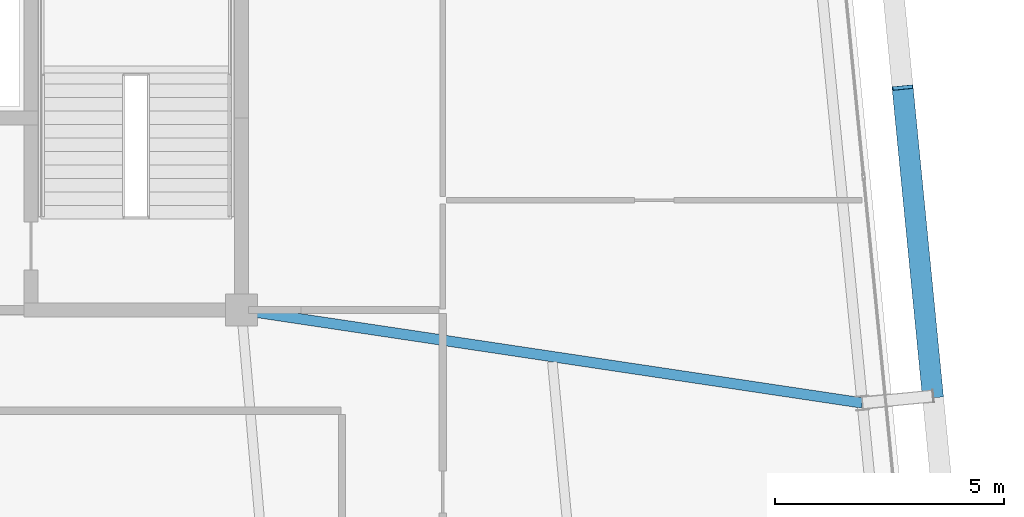
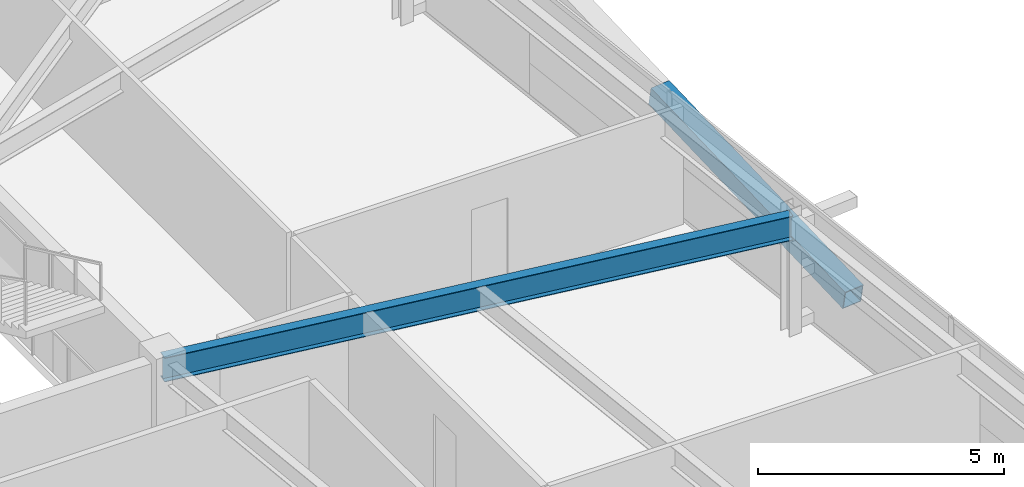
# One storey, part 22 of 47: 1 beam, 1 member.
"""IFC4 building model written with IfcOpenShell, lengths in metres."""

from ifc_helpers import new_model, si_unit, direction, frame, origin, origin_2d, place, context, subcontext, project, spatial, hollow_rectangle, i_section, extrude, source, transform, mapped, material, material_profile, profile_set, type_object, element, save


model = new_model("IFC4")

# Units and contexts
model_context = context("Model", 3, precision=1e-05, world=origin(), true_north=direction((0.0, 1.0)))
body_context = subcontext(model_context, "Body", "Model", "MODEL_VIEW")
ifc_project = project(units=[si_unit("LENGTHUNIT", "METRE"), si_unit("AREAUNIT", "SQUARE_METRE"), si_unit("VOLUMEUNIT", "CUBIC_METRE"), si_unit("PLANEANGLEUNIT", "RADIAN"), si_unit("MASSUNIT", "GRAM", prefix="KILO")], contexts=[model_context])

# Site, building, storey
site_placement = place(None, origin())
site = spatial("IfcSite", under=ifc_project, at=site_placement, CompositionType="ELEMENT")
building_placement = place(site_placement, origin())
building = spatial("IfcBuilding", under=site, at=building_placement, Name="Taldren Reach Tower", CompositionType="ELEMENT")
storey_placement = place(building_placement, frame((0.0, 0.0, 90.300048828125)))
storey = spatial("IfcBuildingStorey", under=building, at=storey_placement, Name="L27", CompositionType="ELEMENT", Elevation=90.300048828125)

# Beam
ifc_material_1 = material(Name="Steel Gr 350 (350PLUS)", Category="steel")
ifc_material_profile_1 = material_profile(ifc_material_1, i_section(OverallWidth=0.22802734375, OverallDepth=0.60205078125, WebThickness=0.010498046875, FlangeThickness=0.014892578125, at=origin_2d()), Name="610UB101")
ifc_profile_set_1 = profile_set([ifc_material_profile_1], Name="Steel Gr 350 (350PLUS)")
beam_type = type_object("IfcBeamType", Name="BM-UB610B", PredefinedType="BEAM", material=ifc_profile_set_1)
shared_shape_1 = source(origin(), body_context, "Body", "SweptSolid", [
    extrude(i_section(OverallWidth=0.22802734375, OverallDepth=0.60205078125, WebThickness=0.010498046875, FlangeThickness=0.014892578125, at=origin_2d()), origin(), (0.0, 0.0, 1.0), 13.720703125),
])
beam_placement = place(storey_placement, frame((51.0, 24.0, 2.62890625), z_axis=(0.988983679407, -0.148024598856, 0.0), x_axis=(0.148024598856, 0.988983679407, 0.0)))
element("IfcBeam", 1, at=beam_placement, inside=storey, type_object=beam_type, Name="Primary floor girder B2-E2 L27", PredefinedType="BEAM", context=body_context, shape_type="MappedRepresentation", body=[
    mapped(shared_shape_1, transform((0.0, 0.0, 0.0), scale=1.0)),
])

# Member
ifc_material_2 = material(Name="Steel Gr 450 (C450L0)", Category="steel")
ifc_material_profile_2 = material_profile(ifc_material_2, hollow_rectangle(XDim=0.4599609375, YDim=0.4599609375, WallThickness=0.01611328125, at=origin_2d()), Name="460x460x16.0SHS")
ifc_profile_set_2 = profile_set([ifc_material_profile_2], Name="Steel Gr 450 (C450L0)")
member_type = type_object("IfcMemberType", Name="MB-EXO457", PredefinedType="BRACE", material=ifc_profile_set_2)
shared_shape_2 = source(origin(), body_context, "Body", "SweptSolid", [
    extrude(hollow_rectangle(XDim=0.4599609375, YDim=0.4599609375, WallThickness=0.01611328125, at=origin_2d()), origin(), (0.0, 0.0, 1.0), 6.883056640625),
])
member_placement = place(storey_placement, frame((66.112060546875, 22.1201171875, 0.219970703125), z_axis=(-0.09605145821, 0.97959718347, 0.176531797456), x_axis=(-0.995227290009, -0.097584021339, 0.0)))
element("IfcMember", 2, at=member_placement, inside=storey, type_object=member_type, Name="Exoskeleton Diagrid Brace B2-E2 L27", PredefinedType="BRACE", context=body_context, shape_type="MappedRepresentation", body=[
    mapped(shared_shape_2, transform((0.0, 0.0, 0.0), scale=1.0)),
])

save(model, "model.ifc")
